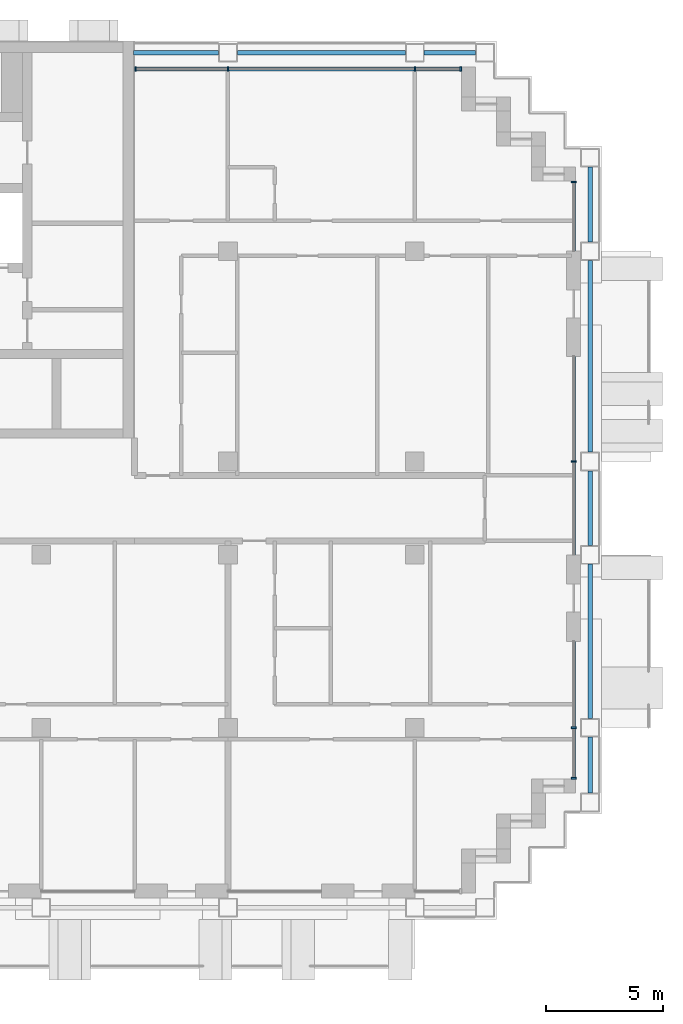
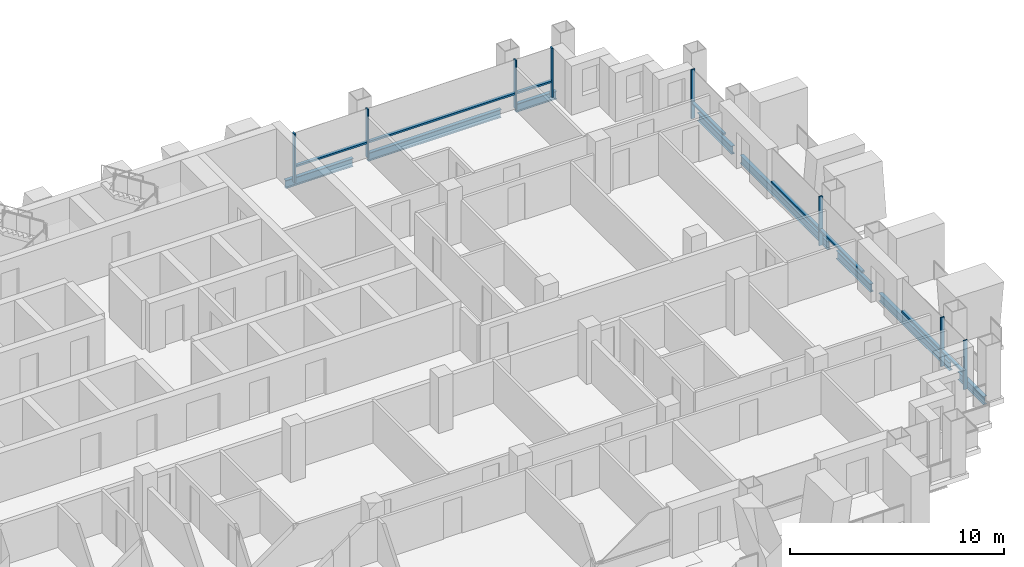
# One storey, part 5 of 17: 16 members, 8 beams, 4 elements without a shape of their own.
"""IFC4 building model written with IfcOpenShell, lengths in metres."""

import ifcopenshell
import ifcopenshell.guid

model = None  # the IFC model being written
_history = None  # IfcOwnerHistory: only IFC2X3 demands one
_inside = {}  # id of a spatial element -> (the spatial element, [elements in it])
_under = {}  # id of a project, library or spatial element -> (it, [spatial elements below it])
_declared = {}  # id of a project -> (the project, [libraries it declares])
_typed = {}  # id of a type object -> (the type object, [elements of that type])
_made_of = {}  # id of a material, layer set ... -> (it, [elements and type objects made of it])


def new_model(schema):
    """Start an empty IFC model of exactly this schema.

    Asked for "IFC4X3", IfcOpenShell would pick the latest addendum, in which some entities
    have other attributes; the version numbers below select the first issue.
    IFC2X3 requires an IfcOwnerHistory on every rooted entity: one is made here for all.
    """
    global model, _history
    if schema == "IFC4X3":
        model = ifcopenshell.file(schema_version=(4, 3, 0, 0))
    else:
        model = ifcopenshell.file(schema=schema)
    _inside.clear()
    _under.clear()
    _declared.clear()
    _typed.clear()
    _made_of.clear()
    _history = None
    if model.schema == "IFC2X3":
        org = make("IfcOrganization", Name="unknown")
        user = make(
            "IfcPersonAndOrganization",
            ThePerson=make("IfcPerson", FamilyName="unknown"),
            TheOrganization=org,
        )
        app = make(
            "IfcApplication",
            ApplicationDeveloper=org,
            Version="unknown",
            ApplicationFullName="unknown",
            ApplicationIdentifier="unknown",
        )
        _history = make(
            "IfcOwnerHistory",
            OwningUser=user,
            OwningApplication=app,
            ChangeAction="ADDED",
            CreationDate=0,
        )
    return model


def make(cls, **values):
    """One entity of the class cls with the attributes given. An attribute that is None is left unset."""
    return model.create_entity(
        cls, **{name: value for name, value in values.items() if value is not None}
    )


def rooted(cls, **values):
    """An entity with a GlobalId (a new one), such as an element, a storey or a relation."""
    return make(cls, GlobalId=ifcopenshell.guid.new(), OwnerHistory=_history, **values)


def si_unit(unit_type, name, prefix=None):
    """IfcSIUnit, for example si_unit("LENGTHUNIT", "METRE", prefix="MILLI")."""
    return make("IfcSIUnit", UnitType=unit_type, Prefix=prefix, Name=name)


def assignment(units):
    """IfcUnitAssignment: the units of a project."""
    return None if units is None else make("IfcUnitAssignment", Units=units)


def point(xyz):
    """IfcCartesianPoint."""
    return None if xyz is None else make("IfcCartesianPoint", Coordinates=xyz)


def direction(xyz):
    """IfcDirection."""
    return None if xyz is None else make("IfcDirection", DirectionRatios=xyz)


def frame(location, z_axis=None, x_axis=None):
    """IfcAxis2Placement3D, a coordinate frame: its origin and axes. An axis left out is left unset."""
    return make(
        "IfcAxis2Placement3D",
        Location=point(location),
        Axis=direction(z_axis),
        RefDirection=direction(x_axis),
    )


def frame_2d(location, x_axis=None):
    """IfcAxis2Placement2D, a coordinate frame in the plane: its origin and x axis."""
    return make(
        "IfcAxis2Placement2D", Location=point(location), RefDirection=direction(x_axis)
    )


def origin():
    """The frame at (0, 0, 0) with its axes left unset."""
    return frame((0.0, 0.0, 0.0))


def origin_2d():
    """The frame at (0, 0) in the plane with its x axis left unset."""
    return frame_2d((0.0, 0.0))


def place(relative_to, where):
    """IfcLocalPlacement: puts the frame where relative to a parent placement (None: the world)."""
    return make(
        "IfcLocalPlacement", PlacementRelTo=relative_to, RelativePlacement=where
    )


def context(
    kind, dimensions, precision=None, world=None, true_north=None, identifier=None
):
    """IfcGeometricRepresentationContext, for example the 3D "Model" context."""
    return make(
        "IfcGeometricRepresentationContext",
        ContextIdentifier=identifier,
        ContextType=kind,
        CoordinateSpaceDimension=dimensions,
        Precision=precision,
        WorldCoordinateSystem=world,
        TrueNorth=true_north,
    )


def subcontext(parent, identifier, kind, view, scale=None):
    """IfcGeometricRepresentationSubContext, for example "Body" below "Model"."""
    return make(
        "IfcGeometricRepresentationSubContext",
        ContextIdentifier=identifier,
        ContextType=kind,
        ParentContext=parent,
        TargetScale=scale,
        TargetView=view,
    )


def project(units=None, contexts=None):
    """IfcProject with its units and contexts."""
    return rooted(
        "IfcProject",
        Name="project",
        RepresentationContexts=contexts,
        UnitsInContext=assignment(units),
    )


def spatial(cls, under=None, at=None, **own):
    """A site, building, storey or space (cls), placed at a placement, below another one or the project."""
    s = rooted(cls, ObjectPlacement=at, **own)
    if under is not None:
        _under.setdefault(under.id(), (under, []))[1].append(s)
    return s


def profile(cls, at=None, kind="AREA", **sizes):
    """A parametric profile (cls). Its sizes go by their IFC names, for example OverallWidth=200.0."""
    return make(cls, ProfileType=kind, Position=at, **sizes)


def rectangle(**sizes):
    """IfcRectangleProfileDef."""
    return profile("IfcRectangleProfileDef", **sizes)


def i_section(**sizes):
    """IfcIShapeProfileDef."""
    return profile("IfcIShapeProfileDef", **sizes)


def extrude(swept, where, along, depth):
    """IfcExtrudedAreaSolid: the profile swept, set in the frame where, extruded along a direction by depth."""
    return make(
        "IfcExtrudedAreaSolid",
        SweptArea=swept,
        Position=where,
        ExtrudedDirection=direction(along),
        Depth=depth,
    )


def shape(context_of_items, identifier, shape_type, items):
    """IfcShapeRepresentation: the items that make up one representation, for example the "Body"."""
    return make(
        "IfcShapeRepresentation",
        ContextOfItems=context_of_items,
        RepresentationIdentifier=identifier,
        RepresentationType=shape_type,
        Items=items,
    )


def material(Name=None, Category=None):
    """IfcMaterial."""
    return make("IfcMaterial", Name=Name, Category=Category)


def material_profile(
    of_material, cross_section, Name=None, Category=None, Priority=None
):
    """IfcMaterialProfile: a cross section and its material."""
    return make(
        "IfcMaterialProfile",
        Name=Name,
        Material=of_material,
        Profile=cross_section,
        Priority=Priority,
        Category=Category,
    )


def profile_set(profiles, Name=None, composite=None):
    """IfcMaterialProfileSet."""
    return make(
        "IfcMaterialProfileSet",
        Name=Name,
        MaterialProfiles=profiles,
        CompositeProfile=composite,
    )


def made_of(thing, what):
    """Note that an element or type object is made of a material, layer set ...; save() writes the relation."""
    if what is not None:
        _made_of.setdefault(what.id(), (what, []))[1].append(thing)
    return thing


def type_object(cls, material=None, **own):
    """A type object (cls), such as IfcWallType, which elements share."""
    return made_of(rooted(cls, **own), material)


def element(
    cls,
    number,
    at=None,
    inside=None,
    cuts=None,
    type_object=None,
    material=None,
    context=None,
    identifier="Body",
    shape_type=None,
    held_by="IfcProductDefinitionShape",
    body=None,
    shapes=None,
    **own,
):
    """One element of the class cls, such as IfcWall. Its Tag is "e" and its number.

    at: its placement. inside: the storey or other place that contains it. cuts: it is an
    opening in that element (IfcRelVoidsElement). A single representation is given by context,
    identifier, shape_type and body (its items); several are given by shapes. held_by: the class
    of the entity that holds the representations. save() writes the other relations.
    """
    e = rooted(cls, Tag="e%d" % number, ObjectPlacement=at, **own)
    if body is not None:
        shapes = [shape(context, identifier, shape_type, body)]
    if shapes is not None:
        e.Representation = make(held_by, Representations=shapes)
    if inside is not None:
        _inside.setdefault(inside.id(), (inside, []))[1].append(e)
    if cuts is not None:
        rooted(
            "IfcRelVoidsElement", RelatingBuildingElement=cuts, RelatedOpeningElement=e
        )
    if type_object is not None:
        _typed.setdefault(type_object.id(), (type_object, []))[1].append(e)
    return made_of(e, material)


def aggregate(whole, parts):
    """IfcRelAggregates: a whole, such as a stair, and the parts it consists of."""
    return rooted("IfcRelAggregates", RelatingObject=whole, RelatedObjects=parts)


def save(model, path):
    """Write the relations noted so far, then the file.

    IfcRelAggregates (storeys below a building ...), IfcRelContainedInSpatialStructure (elements
    in a storey), IfcRelDefinesByType, IfcRelAssociatesMaterial and IfcRelDeclares: one each for
    every whole, place, type object, material and project.
    """
    for whole, parts in _under.values():
        aggregate(whole, parts)
    for where, things in _inside.values():
        rooted(
            "IfcRelContainedInSpatialStructure",
            RelatedElements=things,
            RelatingStructure=where,
        )
    for kind, things in _typed.values():
        rooted("IfcRelDefinesByType", RelatedObjects=things, RelatingType=kind)
    for what, things in _made_of.values():
        rooted("IfcRelAssociatesMaterial", RelatedObjects=things, RelatingMaterial=what)
    for by, libraries in _declared.values():
        rooted("IfcRelDeclares", RelatingContext=by, RelatedDefinitions=libraries)
    model.write(path)


model = new_model("IFC4")

# Units and contexts
model_context = context("Model", 3, precision=1e-05, world=origin(), true_north=direction((0.0, 1.0)))
body_context = subcontext(model_context, "Body", "Model", "MODEL_VIEW")
ifc_project = project(units=[si_unit("LENGTHUNIT", "METRE"), si_unit("AREAUNIT", "SQUARE_METRE"), si_unit("VOLUMEUNIT", "CUBIC_METRE"), si_unit("PLANEANGLEUNIT", "RADIAN"), si_unit("MASSUNIT", "GRAM", prefix="KILO")], contexts=[model_context])

# Site, building, storey
site_placement = place(None, origin())
site = spatial("IfcSite", under=ifc_project, at=site_placement, CompositionType="ELEMENT")
building_placement = place(site_placement, origin())
building = spatial("IfcBuilding", under=site, at=building_placement, Name="Vidyagriha Tower", CompositionType="ELEMENT")
storey_placement = place(building_placement, frame((0.0, 0.0, 148.60009765625)))
storey = spatial("IfcBuildingStorey", under=building, at=storey_placement, Name="L39", CompositionType="ELEMENT", Elevation=148.60009765625)

# Beams
ifc_material_1 = material(Name="Steel ASTM A992 Grade 50", Category="steel")
ifc_material_profile_1 = material_profile(ifc_material_1, i_section(OverallWidth=0.19189453125, OverallDepth=0.46240234375, WebThickness=0.010498046875, FlangeThickness=0.017578125, at=origin_2d()), Name="W18X60")
ifc_profile_set_1 = profile_set([ifc_material_profile_1], Name="Steel ASTM A992 Grade 50")
beam_type = type_object("IfcBeamType", Name="Edge beam W18X60", PredefinedType="SPANDREL", material=ifc_profile_set_1)
beam_1_placement = place(storey_placement, frame((33.5, -12.199951171875, -0.51123046875), z_axis=(0.0, 1.0, 0.0), x_axis=(-1.0, 0.0, 0.0)))
element("IfcBeam", 1, at=beam_1_placement, inside=storey, type_object=beam_type, Name="st-beam-L39-E14", PredefinedType="SPANDREL", context=body_context, shape_type="SweptSolid", body=[
    extrude(i_section(OverallWidth=0.19189453125, OverallDepth=0.46240234375, WebThickness=0.010498046875, FlangeThickness=0.017578125, at=origin_2d()), origin(), (0.0, 0.0, 1.0), 2.39990234375),
])
beam_2_placement = place(storey_placement, frame((33.5, -9.0, -0.51123046875), z_axis=(0.0, 1.0, 0.0), x_axis=(-1.0, 0.0, 0.0)))
element("IfcBeam", 2, at=beam_2_placement, inside=storey, type_object=beam_type, Name="st-beam-L39-E15", PredefinedType="SPANDREL", context=body_context, shape_type="SweptSolid", body=[
    extrude(i_section(OverallWidth=0.19189453125, OverallDepth=0.46240234375, WebThickness=0.010498046875, FlangeThickness=0.017578125, at=origin_2d()), origin(), (0.0, 0.0, 1.0), 6.60009765625),
])
beam_3_placement = place(storey_placement, frame((33.5, -1.60009765625, -0.51123046875), z_axis=(0.0, 1.0, 0.0), x_axis=(-1.0, 0.0, 0.0)))
element("IfcBeam", 3, at=beam_3_placement, inside=storey, type_object=beam_type, Name="st-beam-L39-E16", PredefinedType="SPANDREL", context=body_context, shape_type="SweptSolid", body=[
    extrude(i_section(OverallWidth=0.19189453125, OverallDepth=0.46240234375, WebThickness=0.010498046875, FlangeThickness=0.017578125, at=origin_2d()), origin(), (0.0, 0.0, 1.0), 3.2001953125),
])
beam_4_placement = place(storey_placement, frame((33.5, 2.39990234375, -0.51123046875), z_axis=(0.0, 1.0, 0.0), x_axis=(-1.0, 0.0, 0.0)))
element("IfcBeam", 4, at=beam_4_placement, inside=storey, type_object=beam_type, Name="st-beam-L39-E17", PredefinedType="SPANDREL", context=body_context, shape_type="SweptSolid", body=[
    extrude(i_section(OverallWidth=0.19189453125, OverallDepth=0.46240234375, WebThickness=0.010498046875, FlangeThickness=0.017578125, at=origin_2d()), origin(), (0.0, 0.0, 1.0), 8.2001953125),
])
beam_5_placement = place(storey_placement, frame((33.5, 11.39990234375, -0.51123046875), z_axis=(0.0, 1.0, 0.0), x_axis=(-1.0, 0.0, 0.0)))
element("IfcBeam", 5, at=beam_5_placement, inside=storey, type_object=beam_type, Name="st-beam-L39-E18", PredefinedType="SPANDREL", context=body_context, shape_type="SweptSolid", body=[
    extrude(i_section(OverallWidth=0.19189453125, OverallDepth=0.46240234375, WebThickness=0.010498046875, FlangeThickness=0.017578125, at=origin_2d()), origin(), (0.0, 0.0, 1.0), 3.2001953125),
])
beam_6_placement = place(storey_placement, frame((18.39990234375, 19.5, -0.51123046875), z_axis=(1.0, 0.0, 0.0), x_axis=(0.0, 1.0, 0.0)))
element("IfcBeam", 6, at=beam_6_placement, inside=storey, type_object=beam_type, Name="st-beam-L39-NE20", PredefinedType="SPANDREL", context=body_context, shape_type="SweptSolid", body=[
    extrude(i_section(OverallWidth=0.19189453125, OverallDepth=0.46240234375, WebThickness=0.010498046875, FlangeThickness=0.017578125, at=origin_2d()), origin(), (0.0, 0.0, 1.0), 7.2001953125),
])
beam_7_placement = place(storey_placement, frame((26.39990234375, 19.5, -0.51123046875), z_axis=(1.0, 0.0, 0.0), x_axis=(0.0, 1.0, 0.0)))
element("IfcBeam", 7, at=beam_7_placement, inside=storey, type_object=beam_type, Name="st-beam-L39-NE21", PredefinedType="SPANDREL", context=body_context, shape_type="SweptSolid", body=[
    extrude(i_section(OverallWidth=0.19189453125, OverallDepth=0.46240234375, WebThickness=0.010498046875, FlangeThickness=0.017578125, at=origin_2d()), origin(), (0.0, 0.0, 1.0), 2.2001953125),
])
beam_8_placement = place(storey_placement, frame((13.949951171875, 19.5, -0.51123046875), z_axis=(1.0, 0.0, 0.0), x_axis=(0.0, 1.0, 0.0)))
element("IfcBeam", 8, at=beam_8_placement, inside=storey, type_object=beam_type, Name="st-beam-L39-NC23", PredefinedType="SPANDREL", context=body_context, shape_type="SweptSolid", body=[
    extrude(i_section(OverallWidth=0.19189453125, OverallDepth=0.46240234375, WebThickness=0.010498046875, FlangeThickness=0.017578125, at=origin_2d()), origin(), (0.0, 0.0, 1.0), 3.650146484375),
])

# Curtain wall, members
ifc_material_2 = material(Name="Aluminium and glass curtain wall", Category="aluminium")
curtain_wall_type = type_object("IfcCurtainWallType", Name="Dwelling skin unitised curtain wall", PredefinedType="USERDEFINED", material=ifc_material_2)
curtain_wall_1_placement = place(storey_placement, origin())
curtain_wall_1 = element("IfcCurtainWall", 9, at=curtain_wall_1_placement, inside=storey, type_object=curtain_wall_type, Name="CW1 dwelling skin", ObjectType="UNITISED", PredefinedType="USERDEFINED")
ifc_material_3 = material(Name="Aluminium black anodised", Category="aluminium")
ifc_material_profile_2 = material_profile(ifc_material_3, rectangle(XDim=0.199951171875, YDim=0.070068359375, at=origin_2d()), Name="Mullion 70x200 black aluminium")
ifc_profile_set_2 = profile_set([ifc_material_profile_2], Name="Aluminium black anodised")
member_type_1 = type_object("IfcMemberType", Name="Mullion 70x200 black aluminium", PredefinedType="MULLION", material=ifc_profile_set_2)
member_1_placement = place(storey_placement, frame((27.965087890625, 18.800048828125, 0.0), z_axis=(0.0, 0.0, 1.0), x_axis=(0.0, -1.0, 0.0)))
member_1 = element("IfcMember", 10, at=member_1_placement, type_object=member_type_1, Name="CW1 mullion 1", PredefinedType="MULLION", context=body_context, shape_type="SweptSolid", body=[
    extrude(rectangle(XDim=0.199951171875, YDim=0.070068359375, at=origin_2d()), origin(), (0.0, 0.0, 1.0), 2.7998046875),
])
member_2_placement = place(storey_placement, frame((26.0, 18.800048828125, 0.0), z_axis=(0.0, 0.0, 1.0), x_axis=(0.0, -1.0, 0.0)))
member_2 = element("IfcMember", 11, at=member_2_placement, type_object=member_type_1, Name="CW1 mullion 2", PredefinedType="MULLION", context=body_context, shape_type="SweptSolid", body=[
    extrude(rectangle(XDim=0.199951171875, YDim=0.070068359375, at=origin_2d()), origin(), (0.0, 0.0, 1.0), 2.7998046875),
])
member_3_placement = place(storey_placement, frame((18.0, 18.800048828125, 0.0), z_axis=(0.0, 0.0, 1.0), x_axis=(0.0, -1.0, 0.0)))
member_3 = element("IfcMember", 12, at=member_3_placement, type_object=member_type_1, Name="CW1 mullion 3", PredefinedType="MULLION", context=body_context, shape_type="SweptSolid", body=[
    extrude(rectangle(XDim=0.199951171875, YDim=0.070068359375, at=origin_2d()), origin(), (0.0, 0.0, 1.0), 2.7998046875),
])
member_4_placement = place(storey_placement, frame((14.034912109375, 18.800048828125, 0.0), z_axis=(0.0, 0.0, 1.0), x_axis=(0.0, -1.0, 0.0)))
member_4 = element("IfcMember", 13, at=member_4_placement, type_object=member_type_1, Name="CW1 mullion 4", PredefinedType="MULLION", context=body_context, shape_type="SweptSolid", body=[
    extrude(rectangle(XDim=0.199951171875, YDim=0.070068359375, at=origin_2d()), origin(), (0.0, 0.0, 1.0), 2.7998046875),
])

curtain_wall_2_placement = place(storey_placement, origin())
curtain_wall_2 = element("IfcCurtainWall", 14, at=curtain_wall_2_placement, inside=storey, type_object=curtain_wall_type, Name="CW1 dwelling skin", ObjectType="UNITISED", PredefinedType="USERDEFINED")
member_5_placement = place(storey_placement, frame((32.800048828125, -11.56494140625, 0.0), z_axis=(0.0, 0.0, 1.0), x_axis=(-1.0, 0.0, 0.0)))
member_5 = element("IfcMember", 15, at=member_5_placement, type_object=member_type_1, Name="CW1 mullion 1", PredefinedType="MULLION", context=body_context, shape_type="SweptSolid", body=[
    extrude(rectangle(XDim=0.199951171875, YDim=0.070068359375, at=origin_2d()), origin(), (0.0, 0.0, 1.0), 2.7998046875),
])
member_6_placement = place(storey_placement, frame((32.800048828125, -9.39990234375, 0.0), z_axis=(0.0, 0.0, 1.0), x_axis=(-1.0, 0.0, 0.0)))
member_6 = element("IfcMember", 16, at=member_6_placement, type_object=member_type_1, Name="CW1 mullion 2", PredefinedType="MULLION", context=body_context, shape_type="SweptSolid", body=[
    extrude(rectangle(XDim=0.199951171875, YDim=0.070068359375, at=origin_2d()), origin(), (0.0, 0.0, 1.0), 2.7998046875),
])

# Curtain wall, member
curtain_wall_3_placement = place(storey_placement, origin())
curtain_wall_3 = element("IfcCurtainWall", 17, at=curtain_wall_3_placement, inside=storey, type_object=curtain_wall_type, Name="CW1 dwelling skin", ObjectType="UNITISED", PredefinedType="USERDEFINED")
member_7_placement = place(storey_placement, frame((32.800048828125, 2.0, 0.0), z_axis=(0.0, 0.0, 1.0), x_axis=(-1.0, 0.0, 0.0)))
member_7 = element("IfcMember", 18, at=member_7_placement, type_object=member_type_1, Name="CW1 mullion 2", PredefinedType="MULLION", context=body_context, shape_type="SweptSolid", body=[
    extrude(rectangle(XDim=0.199951171875, YDim=0.070068359375, at=origin_2d()), origin(), (0.0, 0.0, 1.0), 2.7998046875),
])

curtain_wall_4_placement = place(storey_placement, origin())
curtain_wall_4 = element("IfcCurtainWall", 19, at=curtain_wall_4_placement, inside=storey, type_object=curtain_wall_type, Name="CW1 dwelling skin", ObjectType="UNITISED", PredefinedType="USERDEFINED")
member_8_placement = place(storey_placement, frame((32.800048828125, 13.965087890625, 0.0), z_axis=(0.0, 0.0, 1.0), x_axis=(-1.0, 0.0, 0.0)))
member_8 = element("IfcMember", 20, at=member_8_placement, type_object=member_type_1, Name="CW1 mullion 2", PredefinedType="MULLION", context=body_context, shape_type="SweptSolid", body=[
    extrude(rectangle(XDim=0.199951171875, YDim=0.070068359375, at=origin_2d()), origin(), (0.0, 0.0, 1.0), 2.7998046875),
])

# Member
ifc_material_4 = material(Name="Aluminium black anodised", Category="aluminium")
ifc_material_profile_3 = material_profile(ifc_material_4, rectangle(XDim=0.159912109375, YDim=0.10009765625, at=origin_2d()), Name="Transom 100x160 black aluminium")
ifc_profile_set_3 = profile_set([ifc_material_profile_3], Name="Aluminium black anodised")
member_type_2 = type_object("IfcMemberType", Name="Transom 100x160 black aluminium", PredefinedType="USERDEFINED", material=ifc_profile_set_3)
member_9_placement = place(storey_placement, frame((27.929931640625, 18.800048828125, 0.89990234375), z_axis=(-1.0, 0.0, 0.0), x_axis=(0.0, -1.0, 0.0)))
member_9 = element("IfcMember", 21, at=member_9_placement, type_object=member_type_2, Name="CW1 transom 1.1", ObjectType="TRANSOM", PredefinedType="USERDEFINED", context=body_context, shape_type="SweptSolid", body=[
    extrude(rectangle(XDim=0.159912109375, YDim=0.10009765625, at=origin_2d()), origin(), (0.0, 0.0, 1.0), 1.89501953125),
])

member_10_placement = place(storey_placement, frame((25.965087890625, 18.800048828125, 0.89990234375), z_axis=(-1.0, 0.0, 0.0), x_axis=(0.0, -1.0, 0.0)))
member_10 = element("IfcMember", 22, at=member_10_placement, type_object=member_type_2, Name="CW1 transom 2.1", ObjectType="TRANSOM", PredefinedType="USERDEFINED", context=body_context, shape_type="SweptSolid", body=[
    extrude(rectangle(XDim=0.159912109375, YDim=0.10009765625, at=origin_2d()), origin(), (0.0, 0.0, 1.0), 7.93017578125),
])

member_11_placement = place(storey_placement, frame((17.965087890625, 18.800048828125, 0.89990234375), z_axis=(-1.0, 0.0, 0.0), x_axis=(0.0, -1.0, 0.0)))
member_11 = element("IfcMember", 23, at=member_11_placement, type_object=member_type_2, Name="CW1 transom 3.1", ObjectType="TRANSOM", PredefinedType="USERDEFINED", context=body_context, shape_type="SweptSolid", body=[
    extrude(rectangle(XDim=0.159912109375, YDim=0.10009765625, at=origin_2d()), origin(), (0.0, 0.0, 1.0), 3.89501953125),
])

aggregate(curtain_wall_1, [member_1, member_2, member_3, member_4, member_9, member_10, member_11])

member_12_placement = place(storey_placement, frame((32.800048828125, -11.530029296875, 0.89990234375), z_axis=(0.0, 1.0, 0.0), x_axis=(-1.0, 0.0, 0.0)))
member_12 = element("IfcMember", 24, at=member_12_placement, type_object=member_type_2, Name="CW1 transom 1.1", ObjectType="TRANSOM", PredefinedType="USERDEFINED", context=body_context, shape_type="SweptSolid", body=[
    extrude(rectangle(XDim=0.159912109375, YDim=0.10009765625, at=origin_2d()), origin(), (0.0, 0.0, 1.0), 2.094970703125),
])

member_13_placement = place(storey_placement, frame((32.800048828125, -9.364990234375, 0.89990234375), z_axis=(0.0, 1.0, 0.0), x_axis=(-1.0, 0.0, 0.0)))
member_13 = element("IfcMember", 25, at=member_13_placement, type_object=member_type_2, Name="CW1 transom 2.1", ObjectType="TRANSOM", PredefinedType="USERDEFINED", context=body_context, shape_type="SweptSolid", body=[
    extrude(rectangle(XDim=0.159912109375, YDim=0.10009765625, at=origin_2d()), origin(), (0.0, 0.0, 1.0), 3.6650390625),
])

aggregate(curtain_wall_2, [member_5, member_6, member_12, member_13])

member_14_placement = place(storey_placement, frame((32.800048828125, -2.0, 0.89990234375), z_axis=(0.0, 1.0, 0.0), x_axis=(-1.0, 0.0, 0.0)))
member_14 = element("IfcMember", 26, at=member_14_placement, type_object=member_type_2, Name="CW1 transom 1.1", ObjectType="TRANSOM", PredefinedType="USERDEFINED", context=body_context, shape_type="SweptSolid", body=[
    extrude(rectangle(XDim=0.159912109375, YDim=0.10009765625, at=origin_2d()), origin(), (0.0, 0.0, 1.0), 3.965087890625),
])

member_15_placement = place(storey_placement, frame((32.800048828125, 2.034912109375, 0.89990234375), z_axis=(0.0, 1.0, 0.0), x_axis=(-1.0, 0.0, 0.0)))
member_15 = element("IfcMember", 27, at=member_15_placement, type_object=member_type_2, Name="CW1 transom 2.1", ObjectType="TRANSOM", PredefinedType="USERDEFINED", context=body_context, shape_type="SweptSolid", body=[
    extrude(rectangle(XDim=0.159912109375, YDim=0.10009765625, at=origin_2d()), origin(), (0.0, 0.0, 1.0), 4.465087890625),
])

aggregate(curtain_wall_3, [member_7, member_14, member_15])

member_16_placement = place(storey_placement, frame((32.800048828125, 11.0, 0.89990234375), z_axis=(0.0, 1.0, 0.0), x_axis=(-1.0, 0.0, 0.0)))
member_16 = element("IfcMember", 28, at=member_16_placement, type_object=member_type_2, Name="CW1 transom 1.1", ObjectType="TRANSOM", PredefinedType="USERDEFINED", context=body_context, shape_type="SweptSolid", body=[
    extrude(rectangle(XDim=0.159912109375, YDim=0.10009765625, at=origin_2d()), origin(), (0.0, 0.0, 1.0), 2.929931640625),
])

aggregate(curtain_wall_4, [member_8, member_16])

save(model, "model.ifc")
